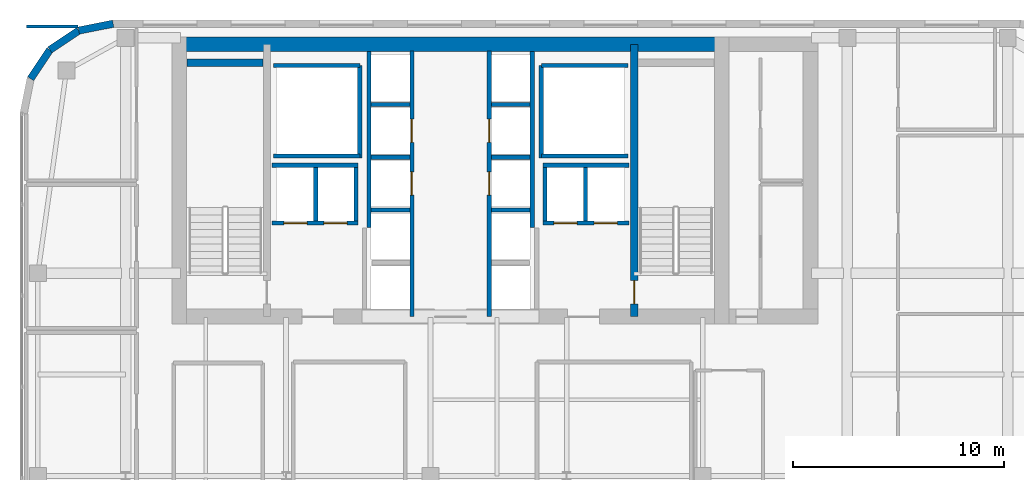
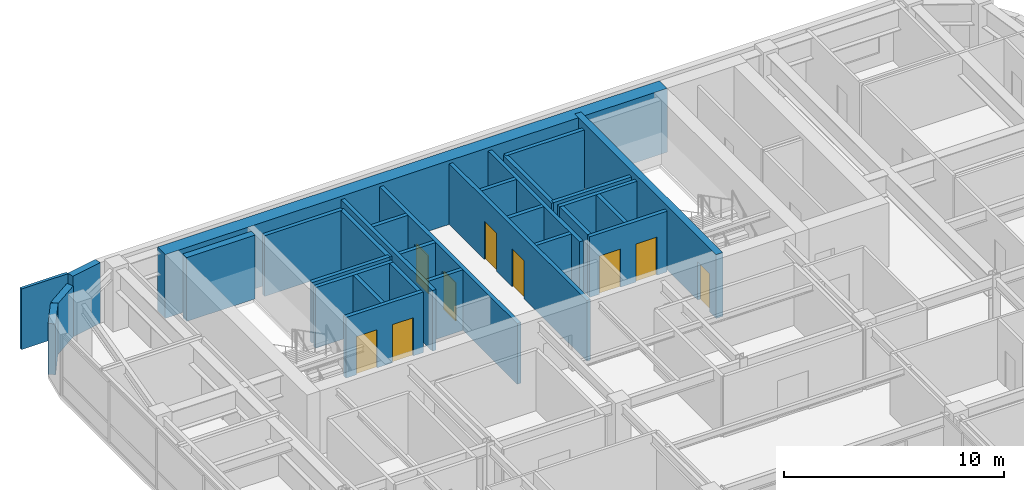
# One storey, part 21 of 24: 31 walls, 9 doors, 9 openings.
"""IFC4 building model written with IfcOpenShell, lengths in metres."""

from ifc_helpers import new_model, si_unit, direction, frame, frame_2d, origin, place, context, subcontext, project, spatial, rectangle, extrude, source, transform, mapped, material, layer, layer_set, type_object, type_shapes, element, fill, save


model = new_model("IFC4")

# Units and contexts
model_context = context("Model", 3, precision=1e-05, world=origin(), true_north=direction((0.0, 1.0)))
body_context = subcontext(model_context, "Body", "Model", "MODEL_VIEW")
ifc_project = project(units=[si_unit("LENGTHUNIT", "METRE"), si_unit("AREAUNIT", "SQUARE_METRE"), si_unit("VOLUMEUNIT", "CUBIC_METRE"), si_unit("PLANEANGLEUNIT", "RADIAN"), si_unit("MASSUNIT", "GRAM", prefix="KILO")], contexts=[model_context])

# Site, building, storey
site_placement = place(None, origin())
site = spatial("IfcSite", under=ifc_project, at=site_placement, CompositionType="ELEMENT")
building_placement = place(site_placement, origin())
building = spatial("IfcBuilding", under=site, at=building_placement, Name="Tolvann Quenvar Hotel", CompositionType="ELEMENT")
storey_placement = place(building_placement, frame((0.0, 0.0, 194.64990234375)))
storey = spatial("IfcBuildingStorey", under=building, at=storey_placement, Name="L51", CompositionType="ELEMENT", Elevation=194.64990234375)

# Wall
ifc_material_1 = material(Name="Concrete S65 (65 MPa)", Category="concrete")
ifc_layer_1 = layer(ifc_material_1, 0.699951171875)
ifc_layer_set_1 = layer_set([ifc_layer_1], Name="Concrete S65 (65 MPa)")
wall_type_1 = type_object("IfcWallType", Name="WALL_CORE_700", PredefinedType="SHEAR", material=ifc_layer_set_1)
wall_1_placement = place(storey_placement, frame((9.800048828125, 44.85009765625, 0.0), z_axis=(0.0, 0.0, 1.0), x_axis=(1.0, 0.0, 0.0)))
element("IfcWall", 1, at=wall_1_placement, inside=storey, type_object=wall_type_1, Name="Rear Core N Shear Wall (L51)", PredefinedType="SHEAR", context=body_context, shape_type="SweptSolid", body=[
    extrude(rectangle(XDim=26.39990234375, YDim=0.699951171875, at=frame_2d((13.199951171875, 0.0))), origin(), (0.0, 0.0, 1.0), 3.550048828125),
])

# Wall, opening, door
ifc_layer_2 = layer(ifc_material_1, 0.35009765625)
ifc_layer_set_2 = layer_set([ifc_layer_2], Name="Concrete S65 (65 MPa)")
wall_type_2 = type_object("IfcWallType", Name="WALL_CORE_INT_350", PredefinedType="SHEAR", material=ifc_layer_set_2)
wall_2_placement = place(storey_placement, frame((31.699951171875, 31.949951171875, 0.0), z_axis=(0.0, 0.0, 1.0), x_axis=(0.0, 1.0, 0.0)))
wall_2 = element("IfcWall", 2, at=wall_2_placement, inside=storey, type_object=wall_type_2, Name="Core Internal Web Shear Wall WEB-E (L51)", PredefinedType="SHEAR", context=body_context, shape_type="SweptSolid", body=[
    extrude(rectangle(XDim=12.900146484375, YDim=0.35009765625, at=frame_2d((6.4501953125, 0.0))), origin(), (0.0, 0.0, 1.0), 3.550048828125),
])
opening_1_placement = place(wall_2_placement, frame((1.7001953125, 0.0, 0.0), z_axis=(0.0, 0.0, 1.0), x_axis=(-1.0, 0.0, 0.0)))
opening_1 = element("IfcOpeningElement", 3, at=opening_1_placement, cuts=wall_2, Name="Opening FD-120", PredefinedType="OPENING", context=body_context, shape_type="SweptSolid", body=[
    extrude(rectangle(XDim=1.10009765625, YDim=2.1201171875, at=frame_2d((0.550048828125, 1.06005859375))), frame((0.0, 0.18505859375, 0.0), z_axis=(0.0, -1.0, 0.0), x_axis=(1.0, 0.0, 0.0)), (0.0, 0.0, 1.0), 0.3701171875),
])
ifc_material_2 = material(Name="Pressed galvanised steel fire-rated door set", Category="steel")
door_type_1 = type_object("IfcDoorType", Name="DOOR_FIRE_STAIR_1100", OperationType="NOTDEFINED", PredefinedType="DOOR", material=ifc_material_2)
shared_shape_1 = source(origin(), body_context, "Body", "SweptSolid", [
    extrude(rectangle(XDim=1.10009765625, YDim=2.1201171875, at=frame_2d((0.550048828125, 1.06005859375))), frame((0.0, 0.02490234375, 0.0), z_axis=(0.0, -1.0, 0.0), x_axis=(1.0, 0.0, 0.0)), (0.0, 0.0, 1.0), 0.050048828125),
])
type_shapes(door_type_1, [shared_shape_1])
door_1_placement = place(opening_1_placement, origin())
door_1 = element("IfcDoor", 4, at=door_1_placement, inside=storey, type_object=door_type_1, Name="Exit Stair ST-C2 Fire Door (L51)", OperationType="SINGLE_SWING_RIGHT", OverallHeight=2.1201171875, OverallWidth=1.10009765625, PredefinedType="DOOR", context=body_context, shape_type="MappedRepresentation", body=[
    mapped(shared_shape_1, transform((0.0, 0.0, 0.0), x_axis=(1.0, 0.0, 0.0), y_axis=(0.0, 1.0, 0.0), z_axis=(0.0, 0.0, 1.0), scale=1.0)),
])
fill(opening_1, door_1)

# Walls
wall_3_placement = place(storey_placement, frame((10.52001953125, 43.97509765625, 0.0), z_axis=(0.0, 0.0, 1.0), x_axis=(1.0, 0.0, 0.0)))
element("IfcWall", 5, at=wall_3_placement, inside=storey, type_object=wall_type_2, Name="Core Stair North Closing Shear Wall STC1-N (L51)", PredefinedType="SHEAR", context=body_context, shape_type="SweptSolid", body=[
    extrude(rectangle(XDim=3.60009765625, YDim=0.35009765625, at=frame_2d((1.800048828125, 0.0))), origin(), (0.0, 0.0, 1.0), 3.550048828125),
])
ifc_material_3 = material(Name="Kiln-fired red and buff architectural clay brickwork and terracotta masonry", Category="masonry")
ifc_layer_3 = layer(ifc_material_3, 0.35009765625)
ifc_layer_set_3 = layer_set([ifc_layer_3], Name="Kiln-fired red and buff architectural clay brickwork and terracotta masonry")
wall_type_3 = type_object("IfcWallType", Name="WALL_EXT_BRICK_350", PredefinedType="SOLIDWALL", material=ifc_layer_set_3)
wall_4_placement = place(storey_placement, frame((7.01708984375, 45.824951171875, 0.0), z_axis=(0.0, 0.0, 1.0), x_axis=(-0.980788844421, -0.195072403631, 0.0)))
element("IfcWall", 6, at=wall_4_placement, inside=storey, type_object=wall_type_3, Name="Exterior Chicago Brick Wall L51-E19", PredefinedType="SOLIDWALL", context=body_context, shape_type="SweptSolid", body=[
    extrude(rectangle(XDim=1.66455078125, YDim=0.35009765625, at=frame_2d((0.832275390625, 0.0))), origin(), (0.0, 0.0, 1.0), 3.3701171875),
])
for number, where, z_axis, x_axis, name in (
    (7, (5.384521484375, 45.500244140625, 0.0), (0.0, 0.0, 1.0), (-0.831502623162, -0.555520825599, 0.0), "Exterior Chicago Brick Wall L51-E20"),
    (8, (4.014892578125, 44.585205078125, 0.0), (0.0, 0.0, 1.0), (-0.555623290322, -0.831434158098, 0.0), "Exterior Chicago Brick Wall L51-E21"),
):
    element("IfcWall", number, at=place(storey_placement, frame(where, z_axis=z_axis, x_axis=x_axis)), inside=storey, type_object=wall_type_3, Name=name, PredefinedType="SOLIDWALL", context=body_context, shape_type="SweptSolid", body=[
        extrude(rectangle(XDim=1.647216796875, YDim=0.35009765625, at=frame_2d((0.82373046875, 0.0))), origin(), (0.0, 0.0, 1.0), 2.83203125),
    ])
ifc_material_4 = material(Name="Acoustic twin-stud fire-rated gypsum plasterboard partition")
ifc_layer_4 = layer(ifc_material_4, 0.14990234375)
ifc_layer_set_4 = layer_set([ifc_layer_4], Name="Acoustic twin-stud fire-rated gypsum plasterboard partition")
wall_type_4 = type_object("IfcWallType", Name="WALL_PART_SUITE_150", PredefinedType="PARTITIONING", material=ifc_layer_set_4)
wall_5_placement = place(storey_placement, frame((2.89990234375, 45.699951171875, 0.0), z_axis=(0.0, 0.0, 1.0), x_axis=(1.0, 0.0, 0.0)))
element("IfcWall", 9, at=wall_5_placement, inside=storey, type_object=wall_type_4, Name="Interior Partition PT-SPC-L51-TEA-N", PredefinedType="PARTITIONING", context=body_context, shape_type="SweptSolid", body=[
    extrude(rectangle(XDim=2.445068359375, YDim=0.14990234375, at=frame_2d((1.22265625, 0.0))), origin(), (0.0, 0.0, 1.0), 3.3701171875),
])
ifc_material_5 = material(Name="Concrete N40 (40 MPa)", Category="concrete")
ifc_layer_5 = layer(ifc_material_5, 0.199951171875)
ifc_layer_set_5 = layer_set([ifc_layer_5], Name="Concrete N40 (40 MPa)")
wall_type_5 = type_object("IfcWallType", Name="WALL_SHAFT_200", PredefinedType="SOLIDWALL", material=ifc_layer_set_5)
wall_6_placement = place(storey_placement, frame((18.699951171875, 39.449951171875, 0.0), z_axis=(0.0, 0.0, 1.0), x_axis=(0.0, 1.0, 0.0)))
element("IfcWall", 10, at=wall_6_placement, inside=storey, type_object=wall_type_5, Name="Service Riser W Shaft Wall IN (L51)", PredefinedType="SOLIDWALL", context=body_context, shape_type="SweptSolid", body=[
    extrude(rectangle(XDim=4.400146484375, YDim=0.199951171875, at=frame_2d((2.2001953125, 0.0))), origin(), (0.0, 0.0, 1.0), 3.3701171875),
])
for number, where, z_axis, x_axis, name in (
    (11, (14.60009765625, 39.550048828125, 0.0), (0.0, 0.0, 1.0), (1.0, 0.0, 0.0), "Service Riser W Shaft Wall S (L51)"),
    (12, (14.60009765625, 43.85009765625, 0.0), (0.0, 0.0, 1.0), (1.0, 0.0, 0.0), "Service Riser W Shaft Wall N (L51)"),
):
    element("IfcWall", number, at=place(storey_placement, frame(where, z_axis=z_axis, x_axis=x_axis)), inside=storey, type_object=wall_type_5, Name=name, PredefinedType="SOLIDWALL", context=body_context, shape_type="SweptSolid", body=[
        extrude(rectangle(XDim=4.099853515625, YDim=0.199951171875, at=frame_2d((2.0498046875, 0.0))), origin(), (0.0, 0.0, 1.0), 3.3701171875),
    ])
wall_7_placement = place(storey_placement, frame((27.300048828125, 39.449951171875, 0.0), z_axis=(0.0, 0.0, 1.0), x_axis=(0.0, 1.0, 0.0)))
element("IfcWall", 13, at=wall_7_placement, inside=storey, type_object=wall_type_5, Name="Service Riser E Shaft Wall IN (L51)", PredefinedType="SOLIDWALL", context=body_context, shape_type="SweptSolid", body=[
    extrude(rectangle(XDim=4.400146484375, YDim=0.199951171875, at=frame_2d((2.2001953125, 0.0))), origin(), (0.0, 0.0, 1.0), 3.3701171875),
])
for number, where, z_axis, x_axis, name in (
    (14, (27.300048828125, 39.550048828125, 0.0), (0.0, 0.0, 1.0), (1.0, 0.0, 0.0), "Service Riser E Shaft Wall S (L51)"),
    (15, (27.300048828125, 43.85009765625, 0.0), (0.0, 0.0, 1.0), (1.0, 0.0, 0.0), "Service Riser E Shaft Wall N (L51)"),
):
    element("IfcWall", number, at=place(storey_placement, frame(where, z_axis=z_axis, x_axis=x_axis)), inside=storey, type_object=wall_type_5, Name=name, PredefinedType="SOLIDWALL", context=body_context, shape_type="SweptSolid", body=[
        extrude(rectangle(XDim=4.099853515625, YDim=0.199951171875, at=frame_2d((2.0498046875, 0.0))), origin(), (0.0, 0.0, 1.0), 3.3701171875),
    ])

# Wall, openings, doors
wall_8_placement = place(storey_placement, frame((21.169921875, 31.9599609375, 0.0), z_axis=(0.0, 0.0, 1.0), x_axis=(0.0, 1.0, 0.0)))
wall_8 = element("IfcWall", 16, at=wall_8_placement, inside=storey, type_object=wall_type_5, Name="Lift Bank E21.1C1 Hoistway Front Wall (L51)", PredefinedType="SOLIDWALL", context=body_context, shape_type="SweptSolid", body=[
    extrude(rectangle(XDim=12.580078125, YDim=0.199951171875, at=frame_2d((6.2900390625, 0.0))), origin(), (0.0, 0.0, 1.0), 3.3701171875),
])
opening_2_placement = place(wall_8_placement, frame((5.739990234375, 0.0, 0.0)))
opening_2 = element("IfcOpeningElement", 17, at=opening_2_placement, cuts=wall_8, Name="Opening LD-01", PredefinedType="OPENING", context=body_context, shape_type="SweptSolid", body=[
    extrude(rectangle(XDim=1.10009765625, YDim=2.1201171875, at=frame_2d((0.550048828125, 1.06005859375))), frame((0.0, 0.10986328125, 0.0), z_axis=(0.0, -1.0, 0.0), x_axis=(1.0, 0.0, 0.0)), (0.0, 0.0, 1.0), 0.219970703125),
])
opening_3_placement = place(wall_8_placement, frame((8.239990234375, 0.0, 0.0)))
opening_3 = element("IfcOpeningElement", 18, at=opening_3_placement, cuts=wall_8, Name="Opening LD-01", PredefinedType="OPENING", context=body_context, shape_type="SweptSolid", body=[
    extrude(rectangle(XDim=1.10009765625, YDim=2.1201171875, at=frame_2d((0.550048828125, 1.06005859375))), frame((0.0, 0.10986328125, 0.0), z_axis=(0.0, -1.0, 0.0), x_axis=(1.0, 0.0, 0.0)), (0.0, 0.0, 1.0), 0.219970703125),
])
ifc_material_6 = material(Name="Brushed 316 stainless steel automatic sliding lift landing door", Category="steel")
door_type_2 = type_object("IfcDoorType", Name="DOOR_LIFT_SLIDE_1100", OperationType="NOTDEFINED", PredefinedType="DOOR", material=ifc_material_6)
shared_shape_2 = source(origin(), body_context, "Body", "SweptSolid", [
    extrude(rectangle(XDim=1.10009765625, YDim=2.1201171875, at=frame_2d((0.550048828125, 1.06005859375))), frame((0.0, 0.02490234375, 0.0), z_axis=(0.0, -1.0, 0.0), x_axis=(1.0, 0.0, 0.0)), (0.0, 0.0, 1.0), 0.050048828125),
])
type_shapes(door_type_2, [shared_shape_2])
door_2_placement = place(opening_2_placement, origin())
door_2 = element("IfcDoor", 19, at=door_2_placement, inside=storey, type_object=door_type_2, Name="Lift PM-1 Sliding Landing Door (L51)", OperationType="SLIDING_TO_RIGHT", OverallHeight=2.1201171875, OverallWidth=1.10009765625, PredefinedType="DOOR", context=body_context, shape_type="MappedRepresentation", body=[
    mapped(shared_shape_2, transform((0.0, 0.0, 0.0), x_axis=(1.0, 0.0, 0.0), y_axis=(0.0, 1.0, 0.0), z_axis=(0.0, 0.0, 1.0), scale=1.0)),
])
fill(opening_2, door_2)
door_3_placement = place(opening_3_placement, origin())
door_3 = element("IfcDoor", 20, at=door_3_placement, inside=storey, type_object=door_type_2, Name="Lift PM-2 Sliding Landing Door (L51)", OperationType="SLIDING_TO_LEFT", OverallHeight=2.1201171875, OverallWidth=1.10009765625, PredefinedType="DOOR", context=body_context, shape_type="MappedRepresentation", body=[
    mapped(shared_shape_2, transform((0.0, 0.0, 0.0), x_axis=(1.0, 0.0, 0.0), y_axis=(0.0, 1.0, 0.0), z_axis=(0.0, 0.0, 1.0), scale=1.0)),
])
fill(opening_3, door_3)

# Walls
wall_9_placement = place(storey_placement, frame((19.1298828125, 36.159912109375, 0.0), z_axis=(0.0, 0.0, 1.0), x_axis=(0.0, 1.0, 0.0)))
element("IfcWall", 21, at=wall_9_placement, inside=storey, type_object=wall_type_5, Name="Lift Bank E21.1C1 Hoistway Rear Wall (L51)", PredefinedType="SOLIDWALL", context=body_context, shape_type="SweptSolid", body=[
    extrude(rectangle(XDim=8.336181640625, YDim=0.199951171875, at=frame_2d((4.16796875, 0.0))), origin(), (0.0, 0.0, 1.0), 3.3701171875),
])
for number, where, z_axis, x_axis, name in (
    (22, (19.22998046875, 37.0, 0.0), (0.0, 0.0, 1.0), (1.0, 0.0, 0.0), "Lift Bank E21.1C1 Divider Wall 2 (L51)"),
    (23, (19.22998046875, 39.5, 0.0), (0.0, 0.0, 1.0), (1.0, 0.0, 0.0), "Lift Bank E21.1C1 Divider Wall 3 (L51)"),
    (24, (19.22998046875, 42.0, 0.0), (0.0, 0.0, 1.0), (1.0, 0.0, 0.0), "Lift Bank E21.1C1 Divider Wall 4 (L51)"),
):
    element("IfcWall", number, at=place(storey_placement, frame(where, z_axis=z_axis, x_axis=x_axis)), inside=storey, type_object=wall_type_5, Name=name, PredefinedType="SOLIDWALL", context=body_context, shape_type="SweptSolid", body=[
        extrude(rectangle(XDim=1.840087890625, YDim=0.199951171875, at=frame_2d((0.919921875, 0.0))), origin(), (0.0, 0.0, 1.0), 3.3701171875),
    ])

# Wall, openings, doors
wall_10_placement = place(storey_placement, frame((27.375, 36.3798828125, 0.0), z_axis=(0.0, 0.0, 1.0), x_axis=(1.0, 0.0, 0.0)))
wall_10 = element("IfcWall", 25, at=wall_10_placement, inside=storey, type_object=wall_type_5, Name="Lift Bank SEC1 Hoistway Front Wall (L51)", PredefinedType="SOLIDWALL", context=body_context, shape_type="SweptSolid", body=[
    extrude(rectangle(XDim=4.074951171875, YDim=0.199951171875, at=frame_2d((2.03759765625, 0.0))), origin(), (0.0, 0.0, 1.0), 3.3701171875),
])
opening_4_placement = place(wall_10_placement, frame((0.52490234375, 0.0, 0.0)))
opening_4 = element("IfcOpeningElement", 26, at=opening_4_placement, cuts=wall_10, Name="Opening LD-01", PredefinedType="OPENING", context=body_context, shape_type="SweptSolid", body=[
    extrude(rectangle(XDim=1.10009765625, YDim=2.1201171875, at=frame_2d((0.550048828125, 1.06005859375))), frame((0.0, 0.10986328125, 0.0), z_axis=(0.0, -1.0, 0.0), x_axis=(1.0, 0.0, 0.0)), (0.0, 0.0, 1.0), 0.219970703125),
])
opening_5_placement = place(wall_10_placement, frame((2.425048828125, 0.0, 0.0)))
opening_5 = element("IfcOpeningElement", 27, at=opening_5_placement, cuts=wall_10, Name="Opening LD-01", PredefinedType="OPENING", context=body_context, shape_type="SweptSolid", body=[
    extrude(rectangle(XDim=1.10009765625, YDim=2.1201171875, at=frame_2d((0.550048828125, 1.06005859375))), frame((0.0, 0.10986328125, 0.0), z_axis=(0.0, -1.0, 0.0), x_axis=(1.0, 0.0, 0.0)), (0.0, 0.0, 1.0), 0.219970703125),
])
door_4_placement = place(opening_4_placement, origin())
door_4 = element("IfcDoor", 28, at=door_4_placement, inside=storey, type_object=door_type_2, Name="Lift SV-2 Sliding Landing Door (L51)", OperationType="SLIDING_TO_LEFT", OverallHeight=2.1201171875, OverallWidth=1.10009765625, PredefinedType="DOOR", context=body_context, shape_type="MappedRepresentation", body=[
    mapped(shared_shape_2, transform((0.0, 0.0, 0.0), x_axis=(1.0, 0.0, 0.0), y_axis=(0.0, 1.0, 0.0), z_axis=(0.0, 0.0, 1.0), scale=1.0)),
])
fill(opening_4, door_4)
door_5_placement = place(opening_5_placement, origin())
door_5 = element("IfcDoor", 29, at=door_5_placement, inside=storey, type_object=door_type_2, Name="Lift FF-2 Sliding Landing Door (L51)", OperationType="SLIDING_TO_RIGHT", OverallHeight=2.1201171875, OverallWidth=1.10009765625, PredefinedType="DOOR", context=body_context, shape_type="MappedRepresentation", body=[
    mapped(shared_shape_2, transform((0.0, 0.0, 0.0), x_axis=(1.0, 0.0, 0.0), y_axis=(0.0, 1.0, 0.0), z_axis=(0.0, 0.0, 1.0), scale=1.0)),
])
fill(opening_5, door_5)

# Walls
wall_11_placement = place(storey_placement, frame((27.375, 39.1201171875, 0.0), z_axis=(0.0, 0.0, 1.0), x_axis=(1.0, 0.0, 0.0)))
element("IfcWall", 30, at=wall_11_placement, inside=storey, type_object=wall_type_5, Name="Lift Bank SEC1 Hoistway Rear Wall (L51)", PredefinedType="SOLIDWALL", context=body_context, shape_type="SweptSolid", body=[
    extrude(rectangle(XDim=4.074951171875, YDim=0.199951171875, at=frame_2d((2.03759765625, 0.0))), origin(), (0.0, 0.0, 1.0), 3.3701171875),
])
for number, where, z_axis, x_axis, name in (
    (31, (27.47509765625, 36.47998046875, 0.0), (0.0, 0.0, 1.0), (0.0, 1.0, 0.0), "Lift Bank SEC1 Hoistway Cheek Wall 1 (L51)"),
    (32, (29.387451171875, 36.47998046875, 0.0), (0.0, 0.0, 1.0), (0.0, 1.0, 0.0), "Lift Bank SEC1 Divider Wall 1 (L51)"),
):
    element("IfcWall", number, at=place(storey_placement, frame(where, z_axis=z_axis, x_axis=x_axis)), inside=storey, type_object=wall_type_5, Name=name, PredefinedType="SOLIDWALL", context=body_context, shape_type="SweptSolid", body=[
        extrude(rectangle(XDim=2.5400390625, YDim=0.199951171875, at=frame_2d((1.27001953125, 0.0))), origin(), (0.0, 0.0, 1.0), 3.3701171875),
    ])

# Wall, openings, doors
wall_12_placement = place(storey_placement, frame((14.550048828125, 36.3798828125, 0.0), z_axis=(0.0, 0.0, 1.0), x_axis=(1.0, 0.0, 0.0)))
wall_12 = element("IfcWall", 33, at=wall_12_placement, inside=storey, type_object=wall_type_5, Name="Lift Bank SWC1 Hoistway Front Wall (L51)", PredefinedType="SOLIDWALL", context=body_context, shape_type="SweptSolid", body=[
    extrude(rectangle(XDim=4.074951171875, YDim=0.199951171875, at=frame_2d((2.03759765625, 0.0))), origin(), (0.0, 0.0, 1.0), 3.3701171875),
])
opening_6_placement = place(wall_12_placement, frame((0.550048828125, 0.0, 0.0)))
opening_6 = element("IfcOpeningElement", 34, at=opening_6_placement, cuts=wall_12, Name="Opening LD-01", PredefinedType="OPENING", context=body_context, shape_type="SweptSolid", body=[
    extrude(rectangle(XDim=1.10009765625, YDim=2.1201171875, at=frame_2d((0.550048828125, 1.06005859375))), frame((0.0, 0.10986328125, 0.0), z_axis=(0.0, -1.0, 0.0), x_axis=(1.0, 0.0, 0.0)), (0.0, 0.0, 1.0), 0.219970703125),
])
opening_7_placement = place(wall_12_placement, frame((2.449951171875, 0.0, 0.0)))
opening_7 = element("IfcOpeningElement", 35, at=opening_7_placement, cuts=wall_12, Name="Opening LD-01", PredefinedType="OPENING", context=body_context, shape_type="SweptSolid", body=[
    extrude(rectangle(XDim=1.10009765625, YDim=2.1201171875, at=frame_2d((0.550048828125, 1.06005859375))), frame((0.0, 0.10986328125, 0.0), z_axis=(0.0, -1.0, 0.0), x_axis=(1.0, 0.0, 0.0)), (0.0, 0.0, 1.0), 0.219970703125),
])
door_6_placement = place(opening_6_placement, origin())
door_6 = element("IfcDoor", 36, at=door_6_placement, inside=storey, type_object=door_type_2, Name="Lift FF-1 Sliding Landing Door (L51)", OperationType="SLIDING_TO_LEFT", OverallHeight=2.1201171875, OverallWidth=1.10009765625, PredefinedType="DOOR", context=body_context, shape_type="MappedRepresentation", body=[
    mapped(shared_shape_2, transform((0.0, 0.0, 0.0), x_axis=(1.0, 0.0, 0.0), y_axis=(0.0, 1.0, 0.0), z_axis=(0.0, 0.0, 1.0), scale=1.0)),
])
fill(opening_6, door_6)
door_7_placement = place(opening_7_placement, origin())
door_7 = element("IfcDoor", 37, at=door_7_placement, inside=storey, type_object=door_type_2, Name="Lift SV-1 Sliding Landing Door (L51)", OperationType="SLIDING_TO_RIGHT", OverallHeight=2.1201171875, OverallWidth=1.10009765625, PredefinedType="DOOR", context=body_context, shape_type="MappedRepresentation", body=[
    mapped(shared_shape_2, transform((0.0, 0.0, 0.0), x_axis=(1.0, 0.0, 0.0), y_axis=(0.0, 1.0, 0.0), z_axis=(0.0, 0.0, 1.0), scale=1.0)),
])
fill(opening_7, door_7)

# Walls
wall_13_placement = place(storey_placement, frame((14.550048828125, 39.1201171875, 0.0), z_axis=(0.0, 0.0, 1.0), x_axis=(1.0, 0.0, 0.0)))
element("IfcWall", 38, at=wall_13_placement, inside=storey, type_object=wall_type_5, Name="Lift Bank SWC1 Hoistway Rear Wall (L51)", PredefinedType="SOLIDWALL", context=body_context, shape_type="SweptSolid", body=[
    extrude(rectangle(XDim=4.074951171875, YDim=0.199951171875, at=frame_2d((2.03759765625, 0.0))), origin(), (0.0, 0.0, 1.0), 3.3701171875),
])
for number, where, z_axis, x_axis, name in (
    (39, (18.52490234375, 36.47998046875, 0.0), (0.0, 0.0, 1.0), (0.0, 1.0, 0.0), "Lift Bank SWC1 Hoistway Cheek Wall 2 (L51)"),
    (40, (16.612548828125, 36.47998046875, 0.0), (0.0, 0.0, 1.0), (0.0, 1.0, 0.0), "Lift Bank SWC1 Divider Wall 1 (L51)"),
):
    element("IfcWall", number, at=place(storey_placement, frame(where, z_axis=z_axis, x_axis=x_axis)), inside=storey, type_object=wall_type_5, Name=name, PredefinedType="SOLIDWALL", context=body_context, shape_type="SweptSolid", body=[
        extrude(rectangle(XDim=2.5400390625, YDim=0.199951171875, at=frame_2d((1.27001953125, 0.0))), origin(), (0.0, 0.0, 1.0), 3.3701171875),
    ])

# Wall, openings, doors
wall_14_placement = place(storey_placement, frame((24.830078125, 31.9599609375, 0.0), z_axis=(0.0, 0.0, 1.0), x_axis=(0.0, 1.0, 0.0)))
wall_14 = element("IfcWall", 41, at=wall_14_placement, inside=storey, type_object=wall_type_5, Name="Lift Bank W24.9C1 Hoistway Front Wall (L51)", PredefinedType="SOLIDWALL", context=body_context, shape_type="SweptSolid", body=[
    extrude(rectangle(XDim=12.580078125, YDim=0.199951171875, at=frame_2d((6.2900390625, 0.0))), origin(), (0.0, 0.0, 1.0), 3.3701171875),
])
opening_8_placement = place(wall_14_placement, frame((5.739990234375, 0.0, 0.0)))
opening_8 = element("IfcOpeningElement", 42, at=opening_8_placement, cuts=wall_14, Name="Opening LD-01", PredefinedType="OPENING", context=body_context, shape_type="SweptSolid", body=[
    extrude(rectangle(XDim=1.10009765625, YDim=2.1201171875, at=frame_2d((0.550048828125, 1.06005859375))), frame((0.0, 0.10986328125, 0.0), z_axis=(0.0, -1.0, 0.0), x_axis=(1.0, 0.0, 0.0)), (0.0, 0.0, 1.0), 0.219970703125),
])
opening_9_placement = place(wall_14_placement, frame((8.239990234375, 0.0, 0.0)))
opening_9 = element("IfcOpeningElement", 43, at=opening_9_placement, cuts=wall_14, Name="Opening LD-01", PredefinedType="OPENING", context=body_context, shape_type="SweptSolid", body=[
    extrude(rectangle(XDim=1.10009765625, YDim=2.1201171875, at=frame_2d((0.550048828125, 1.06005859375))), frame((0.0, 0.10986328125, 0.0), z_axis=(0.0, -1.0, 0.0), x_axis=(1.0, 0.0, 0.0)), (0.0, 0.0, 1.0), 0.219970703125),
])
door_8_placement = place(opening_8_placement, origin())
door_8 = element("IfcDoor", 44, at=door_8_placement, inside=storey, type_object=door_type_2, Name="Lift PM-3 Sliding Landing Door (L51)", OperationType="SLIDING_TO_RIGHT", OverallHeight=2.1201171875, OverallWidth=1.10009765625, PredefinedType="DOOR", context=body_context, shape_type="MappedRepresentation", body=[
    mapped(shared_shape_2, transform((0.0, 0.0, 0.0), x_axis=(1.0, 0.0, 0.0), y_axis=(0.0, 1.0, 0.0), z_axis=(0.0, 0.0, 1.0), scale=1.0)),
])
fill(opening_8, door_8)
door_9_placement = place(opening_9_placement, origin())
door_9 = element("IfcDoor", 45, at=door_9_placement, inside=storey, type_object=door_type_2, Name="Lift PM-4 Sliding Landing Door (L51)", OperationType="SLIDING_TO_LEFT", OverallHeight=2.1201171875, OverallWidth=1.10009765625, PredefinedType="DOOR", context=body_context, shape_type="MappedRepresentation", body=[
    mapped(shared_shape_2, transform((0.0, 0.0, 0.0), x_axis=(1.0, 0.0, 0.0), y_axis=(0.0, 1.0, 0.0), z_axis=(0.0, 0.0, 1.0), scale=1.0)),
])
fill(opening_9, door_9)

# Walls
wall_15_placement = place(storey_placement, frame((26.8701171875, 36.159912109375, 0.0), z_axis=(0.0, 0.0, 1.0), x_axis=(0.0, 1.0, 0.0)))
element("IfcWall", 46, at=wall_15_placement, inside=storey, type_object=wall_type_5, Name="Lift Bank W24.9C1 Hoistway Rear Wall (L51)", PredefinedType="SOLIDWALL", context=body_context, shape_type="SweptSolid", body=[
    extrude(rectangle(XDim=8.336181640625, YDim=0.199951171875, at=frame_2d((4.16796875, 0.0))), origin(), (0.0, 0.0, 1.0), 3.3701171875),
])
for number, where, z_axis, x_axis, name in (
    (47, (24.929931640625, 37.0, 0.0), (0.0, 0.0, 1.0), (1.0, 0.0, 0.0), "Lift Bank W24.9C1 Divider Wall 2 (L51)"),
    (48, (24.929931640625, 39.5, 0.0), (0.0, 0.0, 1.0), (1.0, 0.0, 0.0), "Lift Bank W24.9C1 Divider Wall 3 (L51)"),
    (49, (24.929931640625, 42.0, 0.0), (0.0, 0.0, 1.0), (1.0, 0.0, 0.0), "Lift Bank W24.9C1 Divider Wall 4 (L51)"),
):
    element("IfcWall", number, at=place(storey_placement, frame(where, z_axis=z_axis, x_axis=x_axis)), inside=storey, type_object=wall_type_5, Name=name, PredefinedType="SOLIDWALL", context=body_context, shape_type="SweptSolid", body=[
        extrude(rectangle(XDim=1.840087890625, YDim=0.199951171875, at=frame_2d((0.919921875, 0.0))), origin(), (0.0, 0.0, 1.0), 3.3701171875),
    ])

save(model, "model.ifc")
